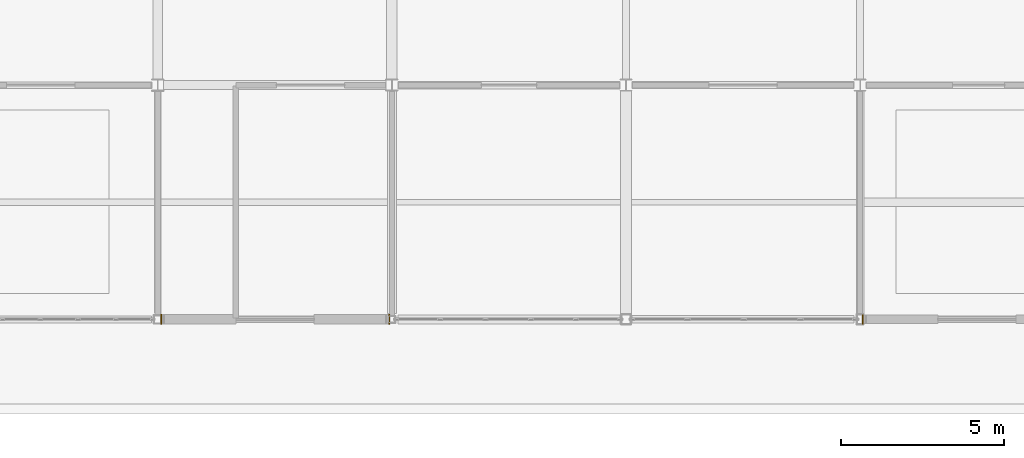
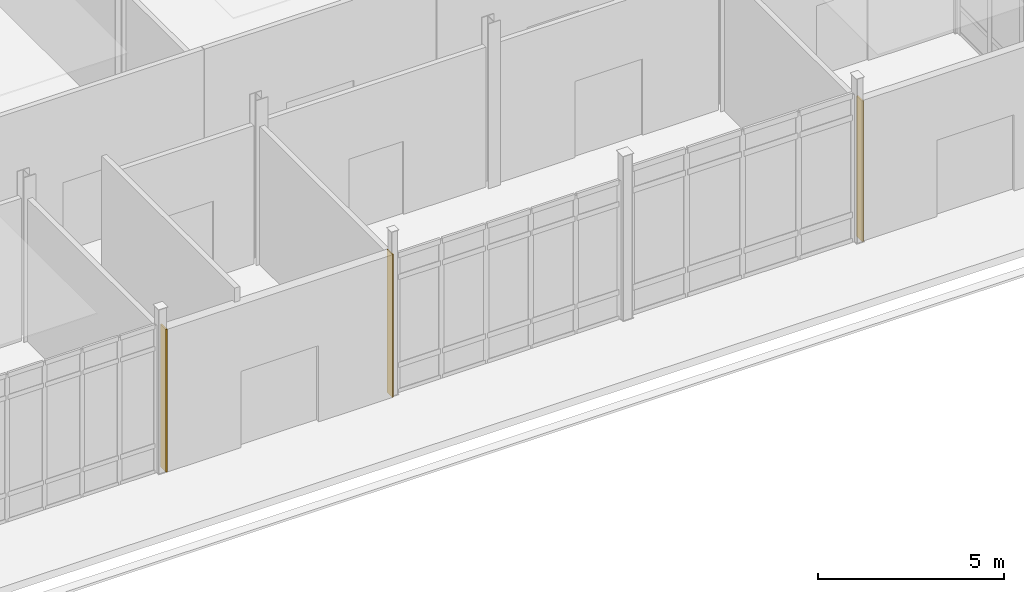
# One storey, part 224 of 229: 3 coverings.
"""IFC4 building model written with IfcOpenShell, lengths in metres."""

from ifc_helpers import new_model, si_unit, direction, origin, place, context, subcontext, project, spatial, polyline, outline, extrude, material, layer, layer_set, type_object, element, save


model = new_model("IFC4")

# Units and contexts
model_context = context("Model", 3, precision=1e-05, world=origin(), true_north=direction((0.0, 1.0)))
body_context = subcontext(model_context, "Body", "Model", "MODEL_VIEW")
ifc_project = project(units=[si_unit("LENGTHUNIT", "METRE"), si_unit("AREAUNIT", "SQUARE_METRE"), si_unit("VOLUMEUNIT", "CUBIC_METRE"), si_unit("PLANEANGLEUNIT", "RADIAN"), si_unit("MASSUNIT", "GRAM", prefix="KILO")], contexts=[model_context])

# Site, building, storey
site_placement = place(None, origin())
site = spatial("IfcSite", under=ifc_project, at=site_placement, CompositionType="ELEMENT")
building_placement = place(site_placement, origin())
building = spatial("IfcBuilding", under=site, at=building_placement, Name="Calvrana Isthmian Art Gallery", CompositionType="ELEMENT")
storey_placement = place(building_placement, origin())
storey = spatial("IfcBuildingStorey", under=building, at=storey_placement, Name="L00", CompositionType="ELEMENT", Elevation=0.0)

# Coverings
ifc_material = material(Name="Polychrome glazed terracotta", Category="masonry")
ifc_layer = layer(ifc_material, 0.0400390625, Name="Polychrome glazed terracotta")
ifc_layer_set = layer_set([ifc_layer], Name="Polychrome glazed terracotta")
covering_type = type_object("IfcCoveringType", Name="COV-CLAD-TERRA", PredefinedType="CLADDING", material=ifc_layer_set)
covering_1_placement = place(storey_placement, origin())
element("IfcCovering", 1, at=covering_1_placement, inside=storey, type_object=covering_type, Name="Column pocket weather closure L00-17-00-W", PredefinedType="CLADDING", context=body_context, shape_type="SweptSolid", body=[
    extrude(outline(polyline([(134.487060546875, -0.14990234375), (134.527099609375, -0.14990234375), (134.527099609375, 0.14990234375), (134.487060546875, 0.14990234375), (134.487060546875, -0.14990234375)])), origin(), (0.0, 0.0, 1.0), 4.677978515625),
])
covering_2_placement = place(storey_placement, origin())
element("IfcCovering", 2, at=covering_2_placement, inside=storey, type_object=covering_type, Name="Column pocket weather closure L00-17-00-E", PredefinedType="CLADDING", context=body_context, shape_type="SweptSolid", body=[
    extrude(outline(polyline([(141.498291015625, -0.14990234375), (141.538330078125, -0.14990234375), (141.538330078125, 0.14990234375), (141.498291015625, 0.14990234375), (141.498291015625, -0.14990234375)])), origin(), (0.0, 0.0, 1.0), 4.677978515625),
])
covering_3_placement = place(storey_placement, origin())
element("IfcCovering", 3, at=covering_3_placement, inside=storey, type_object=covering_type, Name="Column pocket weather closure L00-20-00-W", PredefinedType="CLADDING", context=body_context, shape_type="SweptSolid", body=[
    extrude(outline(polyline([(156.0615234375, -0.1474609375), (156.1015625, -0.1474609375), (156.1015625, 0.1474609375), (156.0615234375, 0.1474609375), (156.0615234375, -0.1474609375)])), origin(), (0.0, 0.0, 1.0), 4.60693359375),
])

save(model, "model.ifc")
